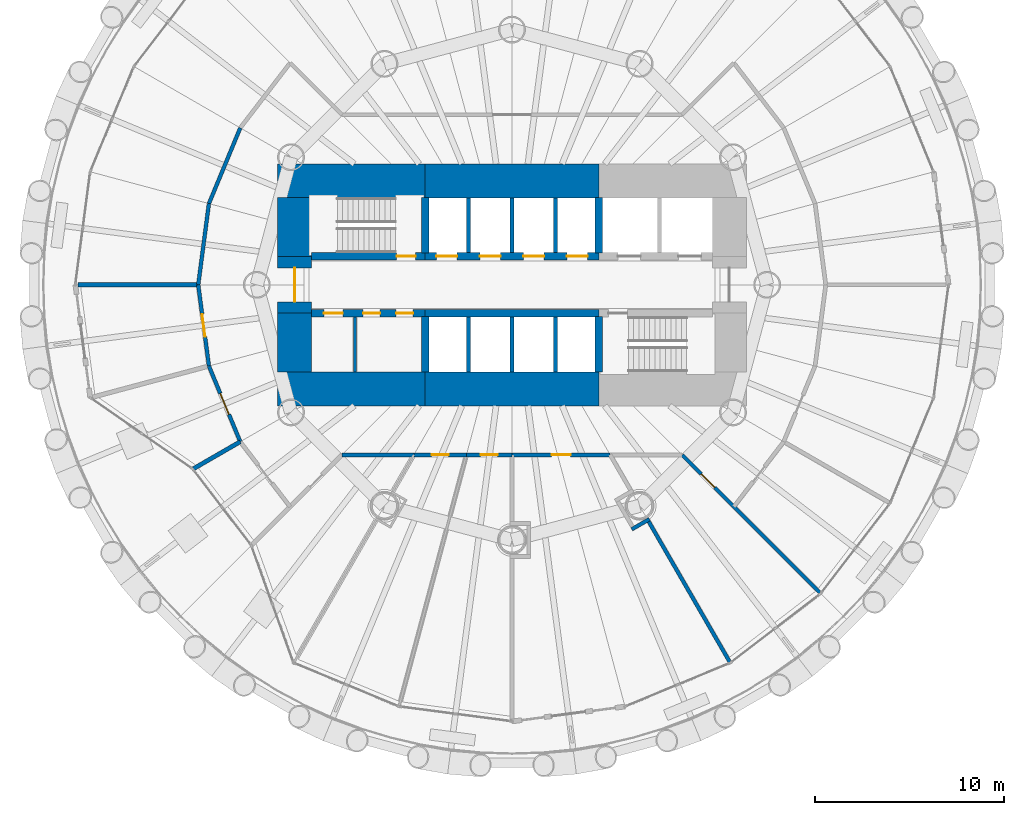
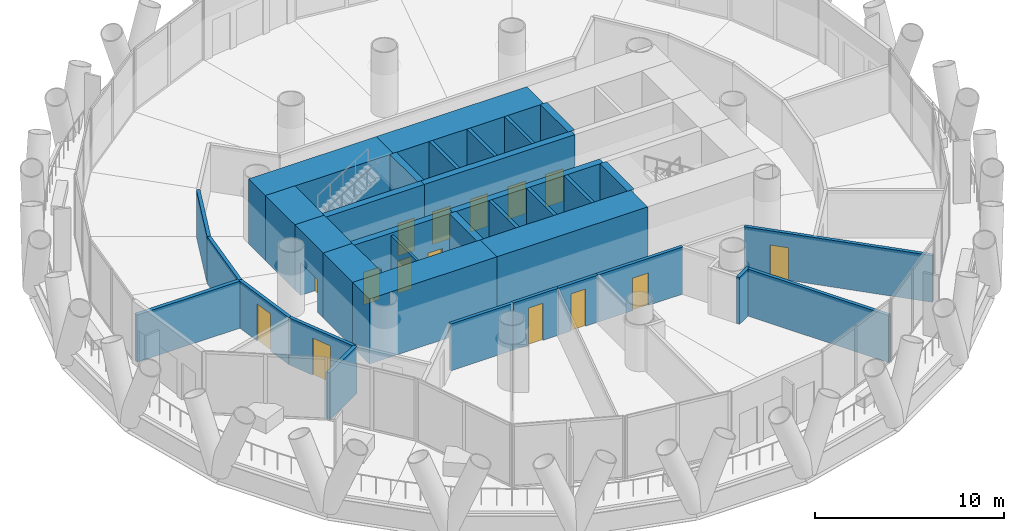
# One storey, part 9 of 14: 35 walls, 15 doors, 15 openings.
"""IFC4 building model written with IfcOpenShell, lengths in metres."""

import ifcopenshell
import ifcopenshell.guid

model = None  # the IFC model being written
_history = None  # IfcOwnerHistory: only IFC2X3 demands one
_inside = {}  # id of a spatial element -> (the spatial element, [elements in it])
_under = {}  # id of a project, library or spatial element -> (it, [spatial elements below it])
_declared = {}  # id of a project -> (the project, [libraries it declares])
_typed = {}  # id of a type object -> (the type object, [elements of that type])
_made_of = {}  # id of a material, layer set ... -> (it, [elements and type objects made of it])


def new_model(schema):
    """Start an empty IFC model of exactly this schema.

    Asked for "IFC4X3", IfcOpenShell would pick the latest addendum, in which some entities
    have other attributes; the version numbers below select the first issue.
    IFC2X3 requires an IfcOwnerHistory on every rooted entity: one is made here for all.
    """
    global model, _history
    if schema == "IFC4X3":
        model = ifcopenshell.file(schema_version=(4, 3, 0, 0))
    else:
        model = ifcopenshell.file(schema=schema)
    _inside.clear()
    _under.clear()
    _declared.clear()
    _typed.clear()
    _made_of.clear()
    _history = None
    if model.schema == "IFC2X3":
        org = make("IfcOrganization", Name="unknown")
        user = make(
            "IfcPersonAndOrganization",
            ThePerson=make("IfcPerson", FamilyName="unknown"),
            TheOrganization=org,
        )
        app = make(
            "IfcApplication",
            ApplicationDeveloper=org,
            Version="unknown",
            ApplicationFullName="unknown",
            ApplicationIdentifier="unknown",
        )
        _history = make(
            "IfcOwnerHistory",
            OwningUser=user,
            OwningApplication=app,
            ChangeAction="ADDED",
            CreationDate=0,
        )
    return model


def make(cls, **values):
    """One entity of the class cls with the attributes given. An attribute that is None is left unset."""
    return model.create_entity(
        cls, **{name: value for name, value in values.items() if value is not None}
    )


def rooted(cls, **values):
    """An entity with a GlobalId (a new one), such as an element, a storey or a relation."""
    return make(cls, GlobalId=ifcopenshell.guid.new(), OwnerHistory=_history, **values)


def si_unit(unit_type, name, prefix=None):
    """IfcSIUnit, for example si_unit("LENGTHUNIT", "METRE", prefix="MILLI")."""
    return make("IfcSIUnit", UnitType=unit_type, Prefix=prefix, Name=name)


def assignment(units):
    """IfcUnitAssignment: the units of a project."""
    return None if units is None else make("IfcUnitAssignment", Units=units)


def point(xyz):
    """IfcCartesianPoint."""
    return None if xyz is None else make("IfcCartesianPoint", Coordinates=xyz)


def direction(xyz):
    """IfcDirection."""
    return None if xyz is None else make("IfcDirection", DirectionRatios=xyz)


def frame(location, z_axis=None, x_axis=None):
    """IfcAxis2Placement3D, a coordinate frame: its origin and axes. An axis left out is left unset."""
    return make(
        "IfcAxis2Placement3D",
        Location=point(location),
        Axis=direction(z_axis),
        RefDirection=direction(x_axis),
    )


def frame_2d(location, x_axis=None):
    """IfcAxis2Placement2D, a coordinate frame in the plane: its origin and x axis."""
    return make(
        "IfcAxis2Placement2D", Location=point(location), RefDirection=direction(x_axis)
    )


def origin():
    """The frame at (0, 0, 0) with its axes left unset."""
    return frame((0.0, 0.0, 0.0))


def place(relative_to, where):
    """IfcLocalPlacement: puts the frame where relative to a parent placement (None: the world)."""
    return make(
        "IfcLocalPlacement", PlacementRelTo=relative_to, RelativePlacement=where
    )


def context(
    kind, dimensions, precision=None, world=None, true_north=None, identifier=None
):
    """IfcGeometricRepresentationContext, for example the 3D "Model" context."""
    return make(
        "IfcGeometricRepresentationContext",
        ContextIdentifier=identifier,
        ContextType=kind,
        CoordinateSpaceDimension=dimensions,
        Precision=precision,
        WorldCoordinateSystem=world,
        TrueNorth=true_north,
    )


def subcontext(parent, identifier, kind, view, scale=None):
    """IfcGeometricRepresentationSubContext, for example "Body" below "Model"."""
    return make(
        "IfcGeometricRepresentationSubContext",
        ContextIdentifier=identifier,
        ContextType=kind,
        ParentContext=parent,
        TargetScale=scale,
        TargetView=view,
    )


def project(units=None, contexts=None):
    """IfcProject with its units and contexts."""
    return rooted(
        "IfcProject",
        Name="project",
        RepresentationContexts=contexts,
        UnitsInContext=assignment(units),
    )


def spatial(cls, under=None, at=None, **own):
    """A site, building, storey or space (cls), placed at a placement, below another one or the project."""
    s = rooted(cls, ObjectPlacement=at, **own)
    if under is not None:
        _under.setdefault(under.id(), (under, []))[1].append(s)
    return s


def profile(cls, at=None, kind="AREA", **sizes):
    """A parametric profile (cls). Its sizes go by their IFC names, for example OverallWidth=200.0."""
    return make(cls, ProfileType=kind, Position=at, **sizes)


def rectangle(**sizes):
    """IfcRectangleProfileDef."""
    return profile("IfcRectangleProfileDef", **sizes)


def extrude(swept, where, along, depth):
    """IfcExtrudedAreaSolid: the profile swept, set in the frame where, extruded along a direction by depth."""
    return make(
        "IfcExtrudedAreaSolid",
        SweptArea=swept,
        Position=where,
        ExtrudedDirection=direction(along),
        Depth=depth,
    )


def shape(context_of_items, identifier, shape_type, items):
    """IfcShapeRepresentation: the items that make up one representation, for example the "Body"."""
    return make(
        "IfcShapeRepresentation",
        ContextOfItems=context_of_items,
        RepresentationIdentifier=identifier,
        RepresentationType=shape_type,
        Items=items,
    )


def material(Name=None, Category=None):
    """IfcMaterial."""
    return make("IfcMaterial", Name=Name, Category=Category)


def layer(
    of_material, thickness, ventilated=None, Name=None, Category=None, Priority=None
):
    """IfcMaterialLayer: one layer of a wall or slab, of a material (None: an air gap)."""
    return make(
        "IfcMaterialLayer",
        Material=of_material,
        LayerThickness=thickness,
        IsVentilated=ventilated,
        Name=Name,
        Category=Category,
        Priority=Priority,
    )


def layer_set(layers, Name=None):
    """IfcMaterialLayerSet."""
    return make("IfcMaterialLayerSet", MaterialLayers=layers, LayerSetName=Name)


def made_of(thing, what):
    """Note that an element or type object is made of a material, layer set ...; save() writes the relation."""
    if what is not None:
        _made_of.setdefault(what.id(), (what, []))[1].append(thing)
    return thing


def type_object(cls, material=None, **own):
    """A type object (cls), such as IfcWallType, which elements share."""
    return made_of(rooted(cls, **own), material)


def element(
    cls,
    number,
    at=None,
    inside=None,
    cuts=None,
    type_object=None,
    material=None,
    context=None,
    identifier="Body",
    shape_type=None,
    held_by="IfcProductDefinitionShape",
    body=None,
    shapes=None,
    **own,
):
    """One element of the class cls, such as IfcWall. Its Tag is "e" and its number.

    at: its placement. inside: the storey or other place that contains it. cuts: it is an
    opening in that element (IfcRelVoidsElement). A single representation is given by context,
    identifier, shape_type and body (its items); several are given by shapes. held_by: the class
    of the entity that holds the representations. save() writes the other relations.
    """
    e = rooted(cls, Tag="e%d" % number, ObjectPlacement=at, **own)
    if body is not None:
        shapes = [shape(context, identifier, shape_type, body)]
    if shapes is not None:
        e.Representation = make(held_by, Representations=shapes)
    if inside is not None:
        _inside.setdefault(inside.id(), (inside, []))[1].append(e)
    if cuts is not None:
        rooted(
            "IfcRelVoidsElement", RelatingBuildingElement=cuts, RelatedOpeningElement=e
        )
    if type_object is not None:
        _typed.setdefault(type_object.id(), (type_object, []))[1].append(e)
    return made_of(e, material)


def fill(opening, filler):
    """IfcRelFillsElement: the door or window that sits in an opening."""
    return rooted(
        "IfcRelFillsElement",
        RelatingOpeningElement=opening,
        RelatedBuildingElement=filler,
    )


def aggregate(whole, parts):
    """IfcRelAggregates: a whole, such as a stair, and the parts it consists of."""
    return rooted("IfcRelAggregates", RelatingObject=whole, RelatedObjects=parts)


def save(model, path):
    """Write the relations noted so far, then the file.

    IfcRelAggregates (storeys below a building ...), IfcRelContainedInSpatialStructure (elements
    in a storey), IfcRelDefinesByType, IfcRelAssociatesMaterial and IfcRelDeclares: one each for
    every whole, place, type object, material and project.
    """
    for whole, parts in _under.values():
        aggregate(whole, parts)
    for where, things in _inside.values():
        rooted(
            "IfcRelContainedInSpatialStructure",
            RelatedElements=things,
            RelatingStructure=where,
        )
    for kind, things in _typed.values():
        rooted("IfcRelDefinesByType", RelatedObjects=things, RelatingType=kind)
    for what, things in _made_of.values():
        rooted("IfcRelAssociatesMaterial", RelatedObjects=things, RelatingMaterial=what)
    for by, libraries in _declared.values():
        rooted("IfcRelDeclares", RelatingContext=by, RelatedDefinitions=libraries)
    model.write(path)


model = new_model("IFC4")

# Units and contexts
model_context = context("Model", 3, precision=1e-05, world=origin(), true_north=direction((0.0, 1.0)))
body_context = subcontext(model_context, "Body", "Model", "MODEL_VIEW")
ifc_project = project(units=[si_unit("LENGTHUNIT", "METRE"), si_unit("AREAUNIT", "SQUARE_METRE"), si_unit("VOLUMEUNIT", "CUBIC_METRE"), si_unit("PLANEANGLEUNIT", "RADIAN"), si_unit("MASSUNIT", "GRAM", prefix="KILO")], contexts=[model_context])

# Site, building, storey
site_placement = place(None, origin())
site = spatial("IfcSite", under=ifc_project, at=site_placement, CompositionType="ELEMENT")
building_placement = place(site_placement, origin())
building = spatial("IfcBuilding", under=site, at=building_placement, Name="Qaws Media Tower", CompositionType="ELEMENT")
storey_placement = place(building_placement, frame((0.0, 0.0, 84.800048828125)))
storey = spatial("IfcBuildingStorey", under=building, at=storey_placement, Name="L18", CompositionType="ELEMENT", Elevation=84.800048828125)

# Walls
ifc_material_1 = material(Name="Twin metal stud frames, two layers gypsum board each side, insulated, Rw 55", Category="gypsum")
ifc_layer_1 = layer(ifc_material_1, 0.22509765625)
ifc_layer_set_1 = layer_set([ifc_layer_1], Name="Acoustic twin-stud partition 225 Rw 55")
wall_type_1 = type_object("IfcWallType", Name="Acoustic twin-stud partition 225 Rw 55", PredefinedType="PARTITIONING", material=ifc_layer_set_1)
wall_1_placement = place(storey_placement, frame((43.39990234375, 50.0, 0.0), z_axis=(0.0, 0.0, 1.0), x_axis=(-1.0, 0.0, 0.0)))
element("IfcWall", 1, at=wall_1_placement, inside=storey, type_object=wall_type_1, Name="W079 IW6 partition L18", PredefinedType="PARTITIONING", context=body_context, shape_type="SweptSolid", body=[
    extrude(rectangle(XDim=6.35986328125, YDim=0.22509765625, at=frame_2d((3.179931640625, 0.0))), origin(), (0.0, 0.0, 1.0), 3.0400390625),
])
wall_2_placement = place(storey_placement, frame((45.6240234375, 41.699951171875, 0.0), z_axis=(0.0, 0.0, 1.0), x_axis=(-0.866033479681, -0.499986011877, 0.0)))
element("IfcWall", 2, at=wall_2_placement, inside=storey, type_object=wall_type_1, Name="W083 IW6 partition L18", PredefinedType="PARTITIONING", context=body_context, shape_type="SweptSolid", body=[
    extrude(rectangle(XDim=2.85986328125, YDim=0.22509765625, at=frame_2d((1.429931640625, 0.0))), origin(), (0.0, 0.0, 1.0), 3.0400390625),
])

# Wall, opening, door
ifc_material_2 = material(Name="Concrete C60/75", Category="concrete")
ifc_layer_2 = layer(ifc_material_2, 0.39990234375)
ifc_layer_set_2 = layer_set([ifc_layer_2], Name="Core inner wall 400")
wall_type_2 = type_object("IfcWallType", Name="Core inner wall 400", PredefinedType="SHEAR", material=ifc_layer_set_2)
wall_3_placement = place(storey_placement, frame((49.3798828125, 51.5, 0.0), z_axis=(0.0, 0.0, 1.0), x_axis=(1.0, 0.0, 0.0)))
wall_3 = element("IfcWall", 3, at=wall_3_placement, inside=storey, type_object=wall_type_2, Name="W311 SW4 core wall SPNW L18", PredefinedType="SHEAR", context=body_context, shape_type="SweptSolid", body=[
    extrude(rectangle(XDim=6.02001953125, YDim=0.39990234375, at=frame_2d((3.010009765625, 0.0))), origin(), (0.0, 0.0, 1.0), 4.199951171875),
])
opening_1_placement = place(wall_3_placement, frame((4.52001953125, 0.0, 0.0)))
opening_1 = element("IfcOpeningElement", 4, at=opening_1_placement, cuts=wall_3, Name="Opening D1", PredefinedType="OPENING", context=body_context, shape_type="SweptSolid", body=[
    extrude(rectangle(XDim=1.0, YDim=2.10009765625, at=frame_2d((0.5, 1.050048828125))), frame((0.0, 0.2099609375, 0.0), z_axis=(0.0, -1.0, 0.0), x_axis=(1.0, 0.0, 0.0)), (0.0, 0.0, 1.0), 0.419921875),
])
ifc_material_3 = material(Name="Steel, fire rated", Category="steel")
door_type_1 = type_object("IfcDoorType", Name="Stair door 1000 FD120", OperationType="SINGLE_SWING_LEFT", PredefinedType="DOOR", material=ifc_material_3)
door_1_placement = place(opening_1_placement, origin())
door_1 = element("IfcDoor", 5, at=door_1_placement, inside=storey, type_object=door_type_1, Name="D1 stair S1 door L18 in wall W311", OperationType="SINGLE_SWING_LEFT", OverallHeight=2.10009765625, OverallWidth=1.0, PredefinedType="DOOR", context=body_context, shape_type="SweptSolid", body=[
    extrude(rectangle(XDim=1.0, YDim=2.10009765625, at=frame_2d((0.5, 1.050048828125))), frame((0.0, 0.02490234375, 0.0), z_axis=(0.0, -1.0, 0.0), x_axis=(1.0, 0.0, 0.0)), (0.0, 0.0, 1.0), 0.050048828125),
])
fill(opening_1, door_1)

# Wall, openings, doors
wall_4_placement = place(storey_placement, frame((55.39990234375, 51.5, 0.0), z_axis=(0.0, 0.0, 1.0), x_axis=(1.0, 0.0, 0.0)))
wall_4 = element("IfcWall", 6, at=wall_4_placement, inside=storey, type_object=wall_type_2, Name="W314 SW4 core wall SPN L18", PredefinedType="SHEAR", context=body_context, shape_type="SweptSolid", body=[
    extrude(rectangle(XDim=9.2001953125, YDim=0.39990234375, at=frame_2d((4.60009765625, 0.0))), origin(), (0.0, 0.0, 1.0), 4.199951171875),
])
opening_2_placement = place(wall_4_placement, frame((0.60009765625, 0.0, 0.0)))
opening_2 = element("IfcOpeningElement", 7, at=opening_2_placement, cuts=wall_4, Name="Opening LD", PredefinedType="OPENING", context=body_context, shape_type="SweptSolid", body=[
    extrude(rectangle(XDim=1.10009765625, YDim=2.10009765625, at=frame_2d((0.550048828125, 1.050048828125))), frame((0.0, 0.2099609375, 0.0), z_axis=(0.0, -1.0, 0.0), x_axis=(1.0, 0.0, 0.0)), (0.0, 0.0, 1.0), 0.419921875),
])
opening_3_placement = place(wall_4_placement, frame((2.89990234375, 0.0, 0.0)))
opening_3 = element("IfcOpeningElement", 8, at=opening_3_placement, cuts=wall_4, Name="Opening LD", PredefinedType="OPENING", context=body_context, shape_type="SweptSolid", body=[
    extrude(rectangle(XDim=1.10009765625, YDim=2.10009765625, at=frame_2d((0.550048828125, 1.050048828125))), frame((0.0, 0.2099609375, 0.0), z_axis=(0.0, -1.0, 0.0), x_axis=(1.0, 0.0, 0.0)), (0.0, 0.0, 1.0), 0.419921875),
])
opening_4_placement = place(wall_4_placement, frame((5.199951171875, 0.0, 0.0)))
opening_4 = element("IfcOpeningElement", 9, at=opening_4_placement, cuts=wall_4, Name="Opening LD", PredefinedType="OPENING", context=body_context, shape_type="SweptSolid", body=[
    extrude(rectangle(XDim=1.10009765625, YDim=2.10009765625, at=frame_2d((0.550048828125, 1.050048828125))), frame((0.0, 0.2099609375, 0.0), z_axis=(0.0, -1.0, 0.0), x_axis=(1.0, 0.0, 0.0)), (0.0, 0.0, 1.0), 0.419921875),
])
opening_5_placement = place(wall_4_placement, frame((7.5, 0.0, 0.0)))
opening_5 = element("IfcOpeningElement", 10, at=opening_5_placement, cuts=wall_4, Name="Opening LD", PredefinedType="OPENING", context=body_context, shape_type="SweptSolid", body=[
    extrude(rectangle(XDim=1.10009765625, YDim=2.10009765625, at=frame_2d((0.550048828125, 1.050048828125))), frame((0.0, 0.2099609375, 0.0), z_axis=(0.0, -1.0, 0.0), x_axis=(1.0, 0.0, 0.0)), (0.0, 0.0, 1.0), 0.419921875),
])
ifc_material_4 = material(Name="Steel, fire rated", Category="steel")
door_type_2 = type_object("IfcDoorType", Name="Lift landing door 1100", OperationType="SLIDING_TO_LEFT", PredefinedType="DOOR", material=ifc_material_4)
door_2_placement = place(opening_2_placement, origin())
door_2 = element("IfcDoor", 11, at=door_2_placement, inside=storey, type_object=door_type_2, Name="P1 landing door L18 in wall W314", OperationType="SLIDING_TO_LEFT", OverallHeight=2.10009765625, OverallWidth=1.10009765625, PredefinedType="DOOR", context=body_context, shape_type="SweptSolid", body=[
    extrude(rectangle(XDim=1.10009765625, YDim=2.10009765625, at=frame_2d((0.550048828125, 1.050048828125))), frame((0.0, 0.02490234375, 0.0), z_axis=(0.0, -1.0, 0.0), x_axis=(1.0, 0.0, 0.0)), (0.0, 0.0, 1.0), 0.050048828125),
])
fill(opening_2, door_2)
door_3_placement = place(opening_3_placement, origin())
door_3 = element("IfcDoor", 12, at=door_3_placement, inside=storey, type_object=door_type_2, Name="P2 landing door L18 in wall W314", OperationType="SLIDING_TO_LEFT", OverallHeight=2.10009765625, OverallWidth=1.10009765625, PredefinedType="DOOR", context=body_context, shape_type="SweptSolid", body=[
    extrude(rectangle(XDim=1.10009765625, YDim=2.10009765625, at=frame_2d((0.550048828125, 1.050048828125))), frame((0.0, 0.02490234375, 0.0), z_axis=(0.0, -1.0, 0.0), x_axis=(1.0, 0.0, 0.0)), (0.0, 0.0, 1.0), 0.050048828125),
])
fill(opening_3, door_3)
door_4_placement = place(opening_4_placement, origin())
door_4 = element("IfcDoor", 13, at=door_4_placement, inside=storey, type_object=door_type_2, Name="P3 landing door L18 in wall W314", OperationType="SLIDING_TO_LEFT", OverallHeight=2.10009765625, OverallWidth=1.10009765625, PredefinedType="DOOR", context=body_context, shape_type="SweptSolid", body=[
    extrude(rectangle(XDim=1.10009765625, YDim=2.10009765625, at=frame_2d((0.550048828125, 1.050048828125))), frame((0.0, 0.02490234375, 0.0), z_axis=(0.0, -1.0, 0.0), x_axis=(1.0, 0.0, 0.0)), (0.0, 0.0, 1.0), 0.050048828125),
])
fill(opening_4, door_4)
door_5_placement = place(opening_5_placement, origin())
door_5 = element("IfcDoor", 14, at=door_5_placement, inside=storey, type_object=door_type_2, Name="P4 landing door L18 in wall W314", OperationType="SLIDING_TO_LEFT", OverallHeight=2.10009765625, OverallWidth=1.10009765625, PredefinedType="DOOR", context=body_context, shape_type="SweptSolid", body=[
    extrude(rectangle(XDim=1.10009765625, YDim=2.10009765625, at=frame_2d((0.550048828125, 1.050048828125))), frame((0.0, 0.02490234375, 0.0), z_axis=(0.0, -1.0, 0.0), x_axis=(1.0, 0.0, 0.0)), (0.0, 0.0, 1.0), 0.050048828125),
])
fill(opening_5, door_5)

wall_5_placement = place(storey_placement, frame((49.3798828125, 48.5, 0.0), z_axis=(0.0, 0.0, 1.0), x_axis=(1.0, 0.0, 0.0)))
wall_5 = element("IfcWall", 15, at=wall_5_placement, inside=storey, type_object=wall_type_2, Name="W310 SW4 core wall SPSW L18", PredefinedType="SHEAR", context=body_context, shape_type="SweptSolid", body=[
    extrude(rectangle(XDim=6.02001953125, YDim=0.39990234375, at=frame_2d((3.010009765625, 0.0))), origin(), (0.0, 0.0, 1.0), 4.199951171875),
])
opening_6_placement = place(wall_5_placement, frame((0.669921875, 0.0, 0.0)))
opening_6 = element("IfcOpeningElement", 16, at=opening_6_placement, cuts=wall_5, Name="Opening D4", PredefinedType="OPENING", context=body_context, shape_type="SweptSolid", body=[
    extrude(rectangle(XDim=1.0, YDim=2.10009765625, at=frame_2d((0.5, 1.050048828125))), frame((0.0, 0.2099609375, 0.0), z_axis=(0.0, -1.0, 0.0), x_axis=(1.0, 0.0, 0.0)), (0.0, 0.0, 1.0), 0.419921875),
])
opening_7_placement = place(wall_5_placement, frame((2.7451171875, 0.0, 0.0)))
opening_7 = element("IfcOpeningElement", 17, at=opening_7_placement, cuts=wall_5, Name="Opening D3", PredefinedType="OPENING", context=body_context, shape_type="SweptSolid", body=[
    extrude(rectangle(XDim=0.89990234375, YDim=2.10009765625, at=frame_2d((0.449951171875, 1.050048828125))), frame((0.0, 0.2099609375, 0.0), z_axis=(0.0, -1.0, 0.0), x_axis=(1.0, 0.0, 0.0)), (0.0, 0.0, 1.0), 0.419921875),
])
opening_8_placement = place(wall_5_placement, frame((4.4951171875, 0.0, 0.0)))
opening_8 = element("IfcOpeningElement", 18, at=opening_8_placement, cuts=wall_5, Name="Opening D3", PredefinedType="OPENING", context=body_context, shape_type="SweptSolid", body=[
    extrude(rectangle(XDim=0.89990234375, YDim=2.10009765625, at=frame_2d((0.449951171875, 1.050048828125))), frame((0.0, 0.2099609375, 0.0), z_axis=(0.0, -1.0, 0.0), x_axis=(1.0, 0.0, 0.0)), (0.0, 0.0, 1.0), 0.419921875),
])
ifc_material_5 = material(Name="Timber veneered", Category="wood")
door_type_3 = type_object("IfcDoorType", Name="Accessible WC door 1000", OperationType="SLIDING_TO_LEFT", PredefinedType="DOOR", material=ifc_material_5)
door_6_placement = place(opening_6_placement, origin())
door_6 = element("IfcDoor", 19, at=door_6_placement, inside=storey, type_object=door_type_3, Name="D4 toilet door 1 L18 in wall W310", OperationType="SLIDING_TO_LEFT", OverallHeight=2.10009765625, OverallWidth=1.0, PredefinedType="DOOR", context=body_context, shape_type="SweptSolid", body=[
    extrude(rectangle(XDim=1.0, YDim=2.10009765625, at=frame_2d((0.5, 1.050048828125))), frame((0.0, 0.02490234375, 0.0), z_axis=(0.0, -1.0, 0.0), x_axis=(1.0, 0.0, 0.0)), (0.0, 0.0, 1.0), 0.050048828125),
])
fill(opening_6, door_6)
ifc_material_6 = material(Name="Timber veneered", Category="wood")
door_type_4 = type_object("IfcDoorType", Name="Toilet door 900", OperationType="SINGLE_SWING_RIGHT", PredefinedType="DOOR", material=ifc_material_6)
door_7_placement = place(opening_7_placement, origin())
door_7 = element("IfcDoor", 20, at=door_7_placement, inside=storey, type_object=door_type_4, Name="D3 toilet door 2 L18 in wall W310", OperationType="SINGLE_SWING_RIGHT", OverallHeight=2.10009765625, OverallWidth=0.89990234375, PredefinedType="DOOR", context=body_context, shape_type="SweptSolid", body=[
    extrude(rectangle(XDim=0.89990234375, YDim=2.10009765625, at=frame_2d((0.449951171875, 1.050048828125))), frame((0.0, 0.02490234375, 0.0), z_axis=(0.0, -1.0, 0.0), x_axis=(1.0, 0.0, 0.0)), (0.0, 0.0, 1.0), 0.050048828125),
])
fill(opening_7, door_7)
door_8_placement = place(opening_8_placement, origin())
door_8 = element("IfcDoor", 21, at=door_8_placement, inside=storey, type_object=door_type_4, Name="D3 toilet door 3 L18 in wall W310", OperationType="SINGLE_SWING_RIGHT", OverallHeight=2.10009765625, OverallWidth=0.89990234375, PredefinedType="DOOR", context=body_context, shape_type="SweptSolid", body=[
    extrude(rectangle(XDim=0.89990234375, YDim=2.10009765625, at=frame_2d((0.449951171875, 1.050048828125))), frame((0.0, 0.02490234375, 0.0), z_axis=(0.0, -1.0, 0.0), x_axis=(1.0, 0.0, 0.0)), (0.0, 0.0, 1.0), 0.050048828125),
])
fill(opening_8, door_8)

# Walls
wall_6_placement = place(storey_placement, frame((55.39990234375, 48.5, 0.0), z_axis=(0.0, 0.0, 1.0), x_axis=(1.0, 0.0, 0.0)))
element("IfcWall", 22, at=wall_6_placement, inside=storey, type_object=wall_type_2, Name="W313 SW4 core wall SPS L18", PredefinedType="SHEAR", context=body_context, shape_type="SweptSolid", body=[
    extrude(rectangle(XDim=9.2001953125, YDim=0.39990234375, at=frame_2d((4.60009765625, 0.0))), origin(), (0.0, 0.0, 1.0), 4.199951171875),
])
for number, where, z_axis, x_axis, name in (
    (23, (55.39990234375, 51.679931640625, 0.0), (0.0, 0.0, 1.0), (0.0, 1.0, 0.0), "W315 SW4 core wall XNW L18"),
    (24, (64.60009765625, 51.679931640625, 0.0), (0.0, 0.0, 1.0), (0.0, 1.0, 0.0), "W319 SW4 core wall XNE L18"),
    (25, (55.39990234375, 48.320068359375, 0.0), (0.0, 0.0, 1.0), (0.0, -1.0, 0.0), "W312 SW4 core wall XSW L18"),
    (26, (64.60009765625, 48.320068359375, 0.0), (0.0, 0.0, 1.0), (0.0, -1.0, 0.0), "W316 SW4 core wall XSE L18"),
):
    element("IfcWall", number, at=place(storey_placement, frame(where, z_axis=z_axis, x_axis=x_axis)), inside=storey, type_object=wall_type_2, Name=name, PredefinedType="SHEAR", context=body_context, shape_type="SweptSolid", body=[
        extrude(rectangle(XDim=2.940185546875, YDim=0.39990234375, at=frame_2d((1.47021484375, 0.0))), origin(), (0.0, 0.0, 1.0), 4.199951171875),
    ])
ifc_material_7 = material(Name="Concrete C60/75", Category="concrete")
ifc_layer_3 = layer(ifc_material_7, 1.800048828125)
ifc_layer_set_3 = layer_set([ifc_layer_3], Name="Core wall 1800")
wall_type_3 = type_object("IfcWallType", Name="Core wall 1800", PredefinedType="SHEAR", material=ifc_layer_set_3)
wall_7_placement = place(storey_placement, frame((47.60009765625, 55.5, 0.0), z_axis=(0.0, 0.0, 1.0), x_axis=(1.0, 0.0, 0.0)))
element("IfcWall", 27, at=wall_7_placement, inside=storey, type_object=wall_type_3, Name="W399 SW11 core wall NW L18", PredefinedType="SHEAR", context=body_context, shape_type="SweptSolid", body=[
    extrude(rectangle(XDim=7.7998046875, YDim=1.800048828125, at=frame_2d((3.89990234375, 0.0))), origin(), (0.0, 0.0, 1.0), 4.199951171875),
])
wall_8_placement = place(storey_placement, frame((55.39990234375, 55.5, 0.0), z_axis=(0.0, 0.0, 1.0), x_axis=(1.0, 0.0, 0.0)))
element("IfcWall", 28, at=wall_8_placement, inside=storey, type_object=wall_type_3, Name="W404 SW11 core wall N L18", PredefinedType="SHEAR", context=body_context, shape_type="SweptSolid", body=[
    extrude(rectangle(XDim=9.2001953125, YDim=1.800048828125, at=frame_2d((4.60009765625, 0.0))), origin(), (0.0, 0.0, 1.0), 4.199951171875),
])
wall_9_placement = place(storey_placement, frame((47.60009765625, 44.5, 0.0), z_axis=(0.0, 0.0, 1.0), x_axis=(1.0, 0.0, 0.0)))
element("IfcWall", 29, at=wall_9_placement, inside=storey, type_object=wall_type_3, Name="W398 SW11 core wall SW L18", PredefinedType="SHEAR", context=body_context, shape_type="SweptSolid", body=[
    extrude(rectangle(XDim=7.7998046875, YDim=1.800048828125, at=frame_2d((3.89990234375, 0.0))), origin(), (0.0, 0.0, 1.0), 4.199951171875),
])
wall_10_placement = place(storey_placement, frame((55.39990234375, 44.5, 0.0), z_axis=(0.0, 0.0, 1.0), x_axis=(1.0, 0.0, 0.0)))
element("IfcWall", 30, at=wall_10_placement, inside=storey, type_object=wall_type_3, Name="W403 SW11 core wall S L18", PredefinedType="SHEAR", context=body_context, shape_type="SweptSolid", body=[
    extrude(rectangle(XDim=9.2001953125, YDim=1.800048828125, at=frame_2d((4.60009765625, 0.0))), origin(), (0.0, 0.0, 1.0), 4.199951171875),
])
wall_11_placement = place(storey_placement, frame((48.5, 45.3798828125, 0.0), z_axis=(0.0, 0.0, 1.0), x_axis=(0.0, 1.0, 0.0)))
element("IfcWall", 31, at=wall_11_placement, inside=storey, type_object=wall_type_3, Name="W400 SW11 core wall WS L18", PredefinedType="SHEAR", context=body_context, shape_type="SweptSolid", body=[
    extrude(rectangle(XDim=3.1201171875, YDim=1.800048828125, at=frame_2d((1.56005859375, 0.0))), origin(), (0.0, 0.0, 1.0), 4.199951171875),
])

# Wall, opening, door
wall_12_placement = place(storey_placement, frame((48.5, 48.5, 0.0), z_axis=(0.0, 0.0, 1.0), x_axis=(0.0, 1.0, 0.0)))
wall_12 = element("IfcWall", 32, at=wall_12_placement, inside=storey, type_object=wall_type_3, Name="W401 SW11 core wall W L18", PredefinedType="SHEAR", context=body_context, shape_type="SweptSolid", body=[
    extrude(rectangle(XDim=3.0, YDim=1.800048828125, at=frame_2d((1.5, 0.0))), origin(), (0.0, 0.0, 1.0), 4.199951171875),
])
opening_9_placement = place(wall_12_placement, frame((0.60009765625, 0.0, 0.0)))
opening_9 = element("IfcOpeningElement", 33, at=opening_9_placement, cuts=wall_12, Name="Opening D2", PredefinedType="OPENING", context=body_context, shape_type="SweptSolid", body=[
    extrude(rectangle(XDim=1.800048828125, YDim=2.10009765625, at=frame_2d((0.89990234375, 1.050048828125))), frame((0.0, 0.909912109375, 0.0), z_axis=(0.0, -1.0, 0.0), x_axis=(1.0, 0.0, 0.0)), (0.0, 0.0, 1.0), 1.820068359375),
])
ifc_material_8 = material(Name="Steel and glass, fire rated", Category="steel")
door_type_5 = type_object("IfcDoorType", Name="Lobby door pair 1800 FD60", OperationType="DOUBLE_DOOR_DOUBLE_SWING", PredefinedType="DOOR", material=ifc_material_8)
door_9_placement = place(opening_9_placement, origin())
door_9 = element("IfcDoor", 34, at=door_9_placement, inside=storey, type_object=door_type_5, Name="D2 core lobby door W L18 in wall W401", OperationType="DOUBLE_DOOR_DOUBLE_SWING", OverallHeight=2.10009765625, OverallWidth=1.800048828125, PredefinedType="DOOR", context=body_context, shape_type="SweptSolid", body=[
    extrude(rectangle(XDim=1.800048828125, YDim=2.10009765625, at=frame_2d((0.89990234375, 1.050048828125))), frame((0.0, 0.02490234375, 0.0), z_axis=(0.0, -1.0, 0.0), x_axis=(1.0, 0.0, 0.0)), (0.0, 0.0, 1.0), 0.050048828125),
])
fill(opening_9, door_9)

# Wall
wall_13_placement = place(storey_placement, frame((48.5, 51.5, 0.0), z_axis=(0.0, 0.0, 1.0), x_axis=(0.0, 1.0, 0.0)))
element("IfcWall", 35, at=wall_13_placement, inside=storey, type_object=wall_type_3, Name="W402 SW11 core wall WN L18", PredefinedType="SHEAR", context=body_context, shape_type="SweptSolid", body=[
    extrude(rectangle(XDim=3.1201171875, YDim=1.800048828125, at=frame_2d((1.56005859375, 0.0))), origin(), (0.0, 0.0, 1.0), 4.199951171875),
])

# Wall, opening, door
ifc_material_9 = material(Name="Gypsum board on galvanised metal studs, acoustic double stud, deflection head", Category="gypsum")
ifc_layer_4 = layer(ifc_material_9, 0.199951171875)
ifc_layer_set_4 = layer_set([ifc_layer_4], Name="Room partition 200")
wall_type_4 = type_object("IfcWallType", Name="Room partition 200", PredefinedType="PARTITIONING", material=ifc_layer_set_4)
wall_14_placement = place(storey_placement, frame((45.6240234375, 41.699951171875, 0.0), z_axis=(0.0, 0.0, 1.0), x_axis=(-0.382698425325, 0.923873322082, 0.0)))
wall_14 = element("IfcWall", 36, at=wall_14_placement, inside=storey, type_object=wall_type_4, Name="W991 IW3 partition L18", PredefinedType="PARTITIONING", context=body_context, shape_type="SweptSolid", body=[
    extrude(rectangle(XDim=4.33349609375, YDim=0.199951171875, at=frame_2d((2.166748046875, 0.0))), origin(), (0.0, 0.0, 1.0), 3.0400390625),
])
opening_10_placement = place(wall_14_placement, frame((1.566650390625, 0.0, 0.0)))
opening_10 = element("IfcOpeningElement", 37, at=opening_10_placement, cuts=wall_14, Name="Opening D14", PredefinedType="OPENING", context=body_context, shape_type="SweptSolid", body=[
    extrude(rectangle(XDim=1.199951171875, YDim=2.39990234375, at=frame_2d((0.60009765625, 1.199951171875))), frame((0.0, 0.10986328125, 0.0), z_axis=(0.0, -1.0, 0.0), x_axis=(1.0, 0.0, 0.0)), (0.0, 0.0, 1.0), 0.219970703125),
])
ifc_material_10 = material(Name="Steel acoustic door set, Rw 45", Category="steel")
door_type_6 = type_object("IfcDoorType", Name="Acoustic door 1200x2400 Rw 45", OperationType="SINGLE_SWING_LEFT", PredefinedType="DOOR", material=ifc_material_10)
door_10_placement = place(opening_10_placement, origin())
door_10 = element("IfcDoor", 38, at=door_10_placement, inside=storey, type_object=door_type_6, Name="D14 Translation booth door L18 in wall W991", OperationType="SINGLE_SWING_LEFT", OverallHeight=2.39990234375, OverallWidth=1.199951171875, PredefinedType="DOOR", context=body_context, shape_type="SweptSolid", body=[
    extrude(rectangle(XDim=1.199951171875, YDim=2.39990234375, at=frame_2d((0.60009765625, 1.199951171875))), frame((0.0, 0.02490234375, 0.0), z_axis=(0.0, -1.0, 0.0), x_axis=(1.0, 0.0, 0.0)), (0.0, 0.0, 1.0), 0.050048828125),
])
fill(opening_10, door_10)

wall_15_placement = place(storey_placement, frame((43.965576171875, 45.70361328125, 0.0), z_axis=(0.0, 0.0, 1.0), x_axis=(-0.130536124221, 0.99144355375, 0.0)))
wall_15 = element("IfcWall", 39, at=wall_15_placement, inside=storey, type_object=wall_type_4, Name="W987 IW3 partition L18", PredefinedType="PARTITIONING", context=body_context, shape_type="SweptSolid", body=[
    extrude(rectangle(XDim=4.33349609375, YDim=0.199951171875, at=frame_2d((2.166748046875, 0.0))), origin(), (0.0, 0.0, 1.0), 3.0400390625),
])
opening_11_placement = place(wall_15_placement, frame((1.566650390625, 0.0, 0.0)))
opening_11 = element("IfcOpeningElement", 40, at=opening_11_placement, cuts=wall_15, Name="Opening D14", PredefinedType="OPENING", context=body_context, shape_type="SweptSolid", body=[
    extrude(rectangle(XDim=1.199951171875, YDim=2.39990234375, at=frame_2d((0.60009765625, 1.199951171875))), frame((0.0, 0.10986328125, 0.0), z_axis=(0.0, -1.0, 0.0), x_axis=(1.0, 0.0, 0.0)), (0.0, 0.0, 1.0), 0.219970703125),
])
door_11_placement = place(opening_11_placement, origin())
door_11 = element("IfcDoor", 41, at=door_11_placement, inside=storey, type_object=door_type_6, Name="D14 Translation booth door L18 in wall W987", OperationType="SINGLE_SWING_LEFT", OverallHeight=2.39990234375, OverallWidth=1.199951171875, PredefinedType="DOOR", context=body_context, shape_type="SweptSolid", body=[
    extrude(rectangle(XDim=1.199951171875, YDim=2.39990234375, at=frame_2d((0.60009765625, 1.199951171875))), frame((0.0, 0.02490234375, 0.0), z_axis=(0.0, -1.0, 0.0), x_axis=(1.0, 0.0, 0.0)), (0.0, 0.0, 1.0), 0.050048828125),
])
fill(opening_11, door_11)

# Walls
for number, where, z_axis, x_axis, name in (
    (42, (43.39990234375, 50.0, 0.0), (0.0, 0.0, 1.0), (0.130536124221, 0.99144355375, 0.0), "W985 IW3 partition L18"),
    (43, (43.965576171875, 54.29638671875, 0.0), (0.0, 0.0, 1.0), (0.382698425325, 0.923873322082, 0.0), "W989 IW3 partition L18"),
):
    element("IfcWall", number, at=place(storey_placement, frame(where, z_axis=z_axis, x_axis=x_axis)), inside=storey, type_object=wall_type_4, Name=name, PredefinedType="PARTITIONING", context=body_context, shape_type="SweptSolid", body=[
        extrude(rectangle(XDim=4.33349609375, YDim=0.199951171875, at=frame_2d((2.166748046875, 0.0))), origin(), (0.0, 0.0, 1.0), 3.0400390625),
    ])

# Wall, opening, door
wall_16_placement = place(storey_placement, frame((65.1962890625, 41.0, 0.0), z_axis=(0.0, 0.0, 1.0), x_axis=(-1.0, 0.0, 0.0)))
wall_16 = element("IfcWall", 44, at=wall_16_placement, inside=storey, type_object=wall_type_4, Name="W1103 IW3 partition L18", PredefinedType="PARTITIONING", context=body_context, shape_type="SweptSolid", body=[
    extrude(rectangle(XDim=5.1962890625, YDim=0.199951171875, at=frame_2d((2.59814453125, 0.0))), origin(), (0.0, 0.0, 1.0), 3.0400390625),
])
opening_12_placement = place(wall_16_placement, frame((2.09814453125, 0.0, 0.0)))
opening_12 = element("IfcOpeningElement", 45, at=opening_12_placement, cuts=wall_16, Name="Opening D5", PredefinedType="OPENING", context=body_context, shape_type="SweptSolid", body=[
    extrude(rectangle(XDim=1.0, YDim=2.10009765625, at=frame_2d((0.5, 1.050048828125))), frame((0.0, 0.10986328125, 0.0), z_axis=(0.0, -1.0, 0.0), x_axis=(1.0, 0.0, 0.0)), (0.0, 0.0, 1.0), 0.219970703125),
])
ifc_material_11 = material(Name="Timber veneered, acoustic seal", Category="wood")
door_type_7 = type_object("IfcDoorType", Name="Room door 1000", OperationType="SINGLE_SWING_LEFT", PredefinedType="DOOR", material=ifc_material_11)
door_12_placement = place(opening_12_placement, origin())
door_12 = element("IfcDoor", 46, at=door_12_placement, inside=storey, type_object=door_type_7, Name="D5 Satellite booking office door L18 in wall W1103", OperationType="SINGLE_SWING_LEFT", OverallHeight=2.10009765625, OverallWidth=1.0, PredefinedType="DOOR", context=body_context, shape_type="SweptSolid", body=[
    extrude(rectangle(XDim=1.0, YDim=2.10009765625, at=frame_2d((0.5, 1.050048828125))), frame((0.0, 0.02490234375, 0.0), z_axis=(0.0, -1.0, 0.0), x_axis=(1.0, 0.0, 0.0)), (0.0, 0.0, 1.0), 0.050048828125),
])
fill(opening_12, door_12)

wall_17_placement = place(storey_placement, frame((60.0, 41.0, 0.0), z_axis=(0.0, 0.0, 1.0), x_axis=(-1.0, 0.0, 0.0)))
wall_17 = element("IfcWall", 47, at=wall_17_placement, inside=storey, type_object=wall_type_4, Name="W1101 IW3 partition L18", PredefinedType="PARTITIONING", context=body_context, shape_type="SweptSolid", body=[
    extrude(rectangle(XDim=2.41162109375, YDim=0.199951171875, at=frame_2d((1.205810546875, 0.0))), origin(), (0.0, 0.0, 1.0), 3.0400390625),
])
opening_13_placement = place(wall_17_placement, frame((0.755859375, 0.0, 0.0)))
opening_13 = element("IfcOpeningElement", 48, at=opening_13_placement, cuts=wall_17, Name="Opening D12", PredefinedType="OPENING", context=body_context, shape_type="SweptSolid", body=[
    extrude(rectangle(XDim=0.89990234375, YDim=2.39990234375, at=frame_2d((0.449951171875, 1.199951171875))), frame((0.0, 0.10986328125, 0.0), z_axis=(0.0, -1.0, 0.0), x_axis=(1.0, 0.0, 0.0)), (0.0, 0.0, 1.0), 0.219970703125),
])
ifc_material_12 = material(Name="Timber veneered, full height", Category="wood")
door_type_8 = type_object("IfcDoorType", Name="Office door 900x2400", OperationType="SINGLE_SWING_LEFT", PredefinedType="DOOR", material=ifc_material_12)
door_13_placement = place(opening_13_placement, origin())
door_13 = element("IfcDoor", 49, at=door_13_placement, inside=storey, type_object=door_type_8, Name="D12 Editor's office door L18 in wall W1101", OperationType="SINGLE_SWING_LEFT", OverallHeight=2.39990234375, OverallWidth=0.89990234375, PredefinedType="DOOR", context=body_context, shape_type="SweptSolid", body=[
    extrude(rectangle(XDim=0.89990234375, YDim=2.39990234375, at=frame_2d((0.449951171875, 1.199951171875))), frame((0.0, 0.02490234375, 0.0), z_axis=(0.0, -1.0, 0.0), x_axis=(1.0, 0.0, 0.0)), (0.0, 0.0, 1.0), 0.050048828125),
])
fill(opening_13, door_13)

wall_18_placement = place(storey_placement, frame((57.58837890625, 41.0, 0.0), z_axis=(0.0, 0.0, 1.0), x_axis=(-1.0, 0.0, 0.0)))
wall_18 = element("IfcWall", 50, at=wall_18_placement, inside=storey, type_object=wall_type_4, Name="W1099 IW3 partition L18", PredefinedType="PARTITIONING", context=body_context, shape_type="SweptSolid", body=[
    extrude(rectangle(XDim=2.78466796875, YDim=0.199951171875, at=frame_2d((1.392333984375, 0.0))), origin(), (0.0, 0.0, 1.0), 3.0400390625),
])
opening_14_placement = place(wall_18_placement, frame((0.9423828125, 0.0, 0.0)))
opening_14 = element("IfcOpeningElement", 51, at=opening_14_placement, cuts=wall_18, Name="Opening D12", PredefinedType="OPENING", context=body_context, shape_type="SweptSolid", body=[
    extrude(rectangle(XDim=0.89990234375, YDim=2.39990234375, at=frame_2d((0.449951171875, 1.199951171875))), frame((0.0, 0.10986328125, 0.0), z_axis=(0.0, -1.0, 0.0), x_axis=(1.0, 0.0, 0.0)), (0.0, 0.0, 1.0), 0.219970703125),
])
door_14_placement = place(opening_14_placement, origin())
door_14 = element("IfcDoor", 52, at=door_14_placement, inside=storey, type_object=door_type_8, Name="D12 Editor's office door L18 in wall W1099", OperationType="SINGLE_SWING_LEFT", OverallHeight=2.39990234375, OverallWidth=0.89990234375, PredefinedType="DOOR", context=body_context, shape_type="SweptSolid", body=[
    extrude(rectangle(XDim=0.89990234375, YDim=2.39990234375, at=frame_2d((0.449951171875, 1.199951171875))), frame((0.0, 0.02490234375, 0.0), z_axis=(0.0, -1.0, 0.0), x_axis=(1.0, 0.0, 0.0)), (0.0, 0.0, 1.0), 0.050048828125),
])
fill(opening_14, door_14)

# Walls
wall_19_placement = place(storey_placement, frame((54.8037109375, 41.0, 0.0), z_axis=(0.0, 0.0, 1.0), x_axis=(-1.0, 0.0, 0.0)))
element("IfcWall", 53, at=wall_19_placement, inside=storey, type_object=wall_type_4, Name="W997 IW3 partition L18", PredefinedType="PARTITIONING", context=body_context, shape_type="SweptSolid", body=[
    extrude(rectangle(XDim=3.8037109375, YDim=0.199951171875, at=frame_2d((1.90185546875, 0.0))), origin(), (0.0, 0.0, 1.0), 3.02001953125),
])
wall_20_placement = place(storey_placement, frame((67.272216796875, 37.604248046875, 0.0), z_axis=(0.0, 0.0, 1.0), x_axis=(-0.86603892542, -0.499976579108, 0.0)))
element("IfcWall", 54, at=wall_20_placement, inside=storey, type_object=wall_type_4, Name="W1029 IW3 partition return L18", PredefinedType="PARTITIONING", context=body_context, shape_type="SweptSolid", body=[
    extrude(rectangle(XDim=1.0810546875, YDim=0.199951171875, at=frame_2d((0.54052734375, 0.0))), origin(), (0.0, 0.0, 1.0), 3.02001953125),
])
wall_21_placement = place(storey_placement, frame((67.235595703125, 37.4677734375, 0.0), z_axis=(0.0, 0.0, 1.0), x_axis=(0.499997214665, -0.866027011893, 0.0)))
element("IfcWall", 55, at=wall_21_placement, inside=storey, type_object=wall_type_4, Name="W1104 IW3 partition L18", PredefinedType="PARTITIONING", context=body_context, shape_type="SweptSolid", body=[
    extrude(rectangle(XDim=8.5888671875, YDim=0.199951171875, at=frame_2d((4.29443359375, 0.0))), origin(), (0.0, 0.0, 1.0), 3.0400390625),
])

# Wall, opening, door
wall_22_placement = place(storey_placement, frame((69.0, 41.0, 0.0), z_axis=(0.0, 0.0, 1.0), x_axis=(0.707106781187, -0.707106781187, 0.0)))
wall_22 = element("IfcWall", 56, at=wall_22_placement, inside=storey, type_object=wall_type_4, Name="W1105 IW3 partition L18", PredefinedType="PARTITIONING", context=body_context, shape_type="SweptSolid", body=[
    extrude(rectangle(XDim=10.33203125, YDim=0.199951171875, at=frame_2d((5.166015625, 0.0))), origin(), (0.0, 0.0, 1.0), 3.02001953125),
])
opening_15_placement = place(wall_22_placement, frame((1.43603515625, 0.0, 0.0)))
opening_15 = element("IfcOpeningElement", 57, at=opening_15_placement, cuts=wall_22, Name="Opening D5", PredefinedType="OPENING", context=body_context, shape_type="SweptSolid", body=[
    extrude(rectangle(XDim=1.0, YDim=2.10009765625, at=frame_2d((0.5, 1.050048828125))), frame((0.0, 0.10986328125, 0.0), z_axis=(0.0, -1.0, 0.0), x_axis=(1.0, 0.0, 0.0)), (0.0, 0.0, 1.0), 0.219970703125),
])
door_15_placement = place(opening_15_placement, origin())
door_15 = element("IfcDoor", 58, at=door_15_placement, inside=storey, type_object=door_type_7, Name="D5 Gents toilets door L18 in wall W1105", OperationType="SINGLE_SWING_LEFT", OverallHeight=2.10009765625, OverallWidth=1.0, PredefinedType="DOOR", context=body_context, shape_type="SweptSolid", body=[
    extrude(rectangle(XDim=1.0, YDim=2.10009765625, at=frame_2d((0.5, 1.050048828125))), frame((0.0, 0.02490234375, 0.0), z_axis=(0.0, -1.0, 0.0), x_axis=(1.0, 0.0, 0.0)), (0.0, 0.0, 1.0), 0.050048828125),
])
fill(opening_15, door_15)

# Walls
ifc_material_13 = material(Name="Fire-rated gypsum board shaft wall on galvanised metal studs, deflection head", Category="gypsum")
ifc_layer_5 = layer(ifc_material_13, 0.199951171875)
ifc_layer_set_5 = layer_set([ifc_layer_5], Name="Shaft wall 200")
wall_type_5 = type_object("IfcWallType", Name="Shaft wall 200", PredefinedType="PARTITIONING", material=ifc_layer_set_5)
for number, where, z_axis, x_axis, name in (
    (59, (57.699951171875, 51.699951171875, 0.0), (0.0, 0.0, 1.0), (0.0, 1.0, 0.0), "W1842 IW1 shaft wall N1 L18"),
    (60, (60.0, 51.699951171875, 0.0), (0.0, 0.0, 1.0), (0.0, 1.0, 0.0), "W1843 IW1 shaft wall N2 L18"),
    (61, (62.300048828125, 51.699951171875, 0.0), (0.0, 0.0, 1.0), (0.0, 1.0, 0.0), "W1844 IW1 shaft wall N3 L18"),
    (62, (57.699951171875, 45.39990234375, 0.0), (0.0, 0.0, 1.0), (0.0, 1.0, 0.0), "W1835 IW1 shaft wall S1 L18"),
    (63, (60.0, 45.39990234375, 0.0), (0.0, 0.0, 1.0), (0.0, 1.0, 0.0), "W1837 IW1 shaft wall S2 L18"),
    (64, (62.300048828125, 45.39990234375, 0.0), (0.0, 0.0, 1.0), (0.0, 1.0, 0.0), "W1839 IW1 shaft wall S3 L18"),
):
    element("IfcWall", number, at=place(storey_placement, frame(where, z_axis=z_axis, x_axis=x_axis)), inside=storey, type_object=wall_type_5, Name=name, PredefinedType="PARTITIONING", context=body_context, shape_type="SweptSolid", body=[
        extrude(rectangle(XDim=2.900146484375, YDim=0.199951171875, at=frame_2d((1.4501953125, 0.0))), origin(), (0.0, 0.0, 1.0), 4.199951171875),
    ])
ifc_material_14 = material(Name="Gypsum board on galvanised metal studs, deflection head", Category="gypsum")
ifc_layer_6 = layer(ifc_material_14, 0.14990234375)
ifc_layer_set_6 = layer_set([ifc_layer_6], Name="WC partition 150")
wall_type_6 = type_object("IfcWallType", Name="WC partition 150", PredefinedType="PARTITIONING", material=ifc_layer_set_6)
wall_23_placement = place(storey_placement, frame((51.699951171875, 45.39990234375, 0.0), z_axis=(0.0, 0.0, 1.0), x_axis=(0.0, 1.0, 0.0)))
element("IfcWall", 65, at=wall_23_placement, inside=storey, type_object=wall_type_6, Name="W1904 IW2 toilet partition 1 L18", PredefinedType="PARTITIONING", context=body_context, shape_type="SweptSolid", body=[
    extrude(rectangle(XDim=2.900146484375, YDim=0.14990234375, at=frame_2d((1.4501953125, 0.0))), origin(), (0.0, 0.0, 1.0), 4.0400390625),
])

save(model, "model.ifc")
